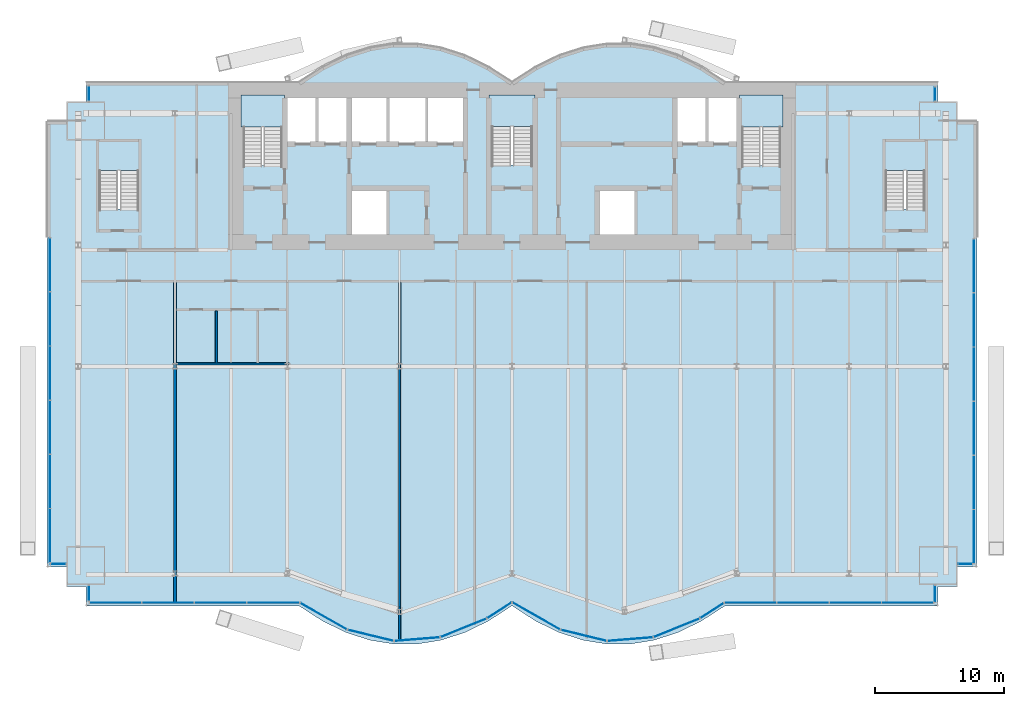
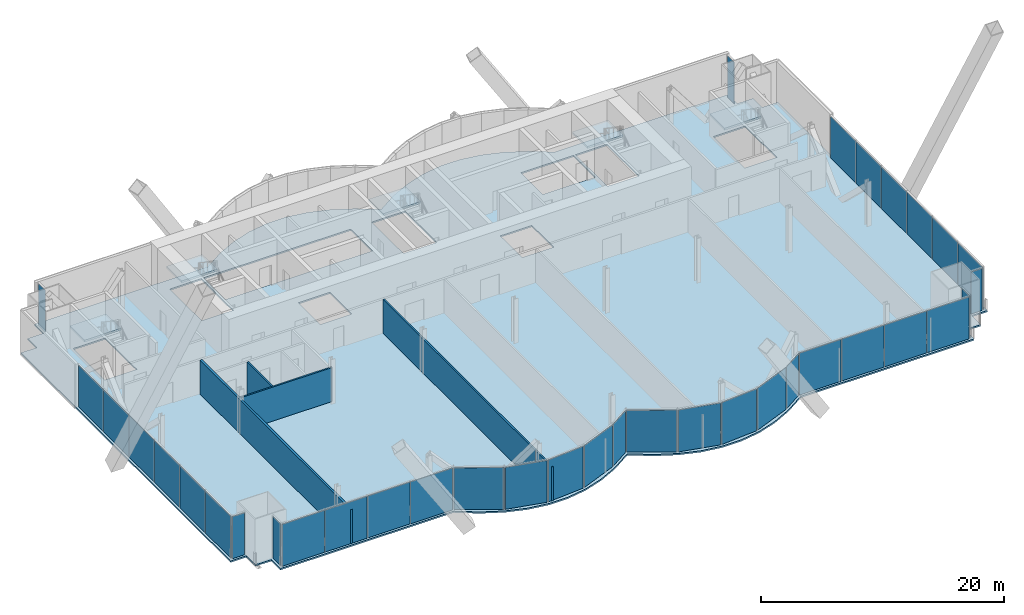
# One storey, part 16 of 23: 36 plates, 6 slabs, 5 walls, 17 elements without a shape of their own.
"""IFC4 building model written with IfcOpenShell, lengths in metres."""

from ifc_helpers import new_model, si_unit, direction, frame, frame_2d, origin, origin_2d, place, context, subcontext, project, spatial, polyline, rectangle, outline, extrude, material, layer, layer_set, type_object, element, aggregate, save


model = new_model("IFC4")

# Units and contexts
model_context = context("Model", 3, precision=1e-05, world=origin(), true_north=direction((0.0, 1.0)))
body_context = subcontext(model_context, "Body", "Model", "MODEL_VIEW")
ifc_project = project(units=[si_unit("LENGTHUNIT", "METRE"), si_unit("AREAUNIT", "SQUARE_METRE"), si_unit("VOLUMEUNIT", "CUBIC_METRE"), si_unit("PLANEANGLEUNIT", "RADIAN"), si_unit("MASSUNIT", "GRAM", prefix="KILO")], contexts=[model_context])

# Site, building, storey
site_placement = place(None, origin())
site = spatial("IfcSite", under=ifc_project, at=site_placement, CompositionType="ELEMENT")
building_placement = place(site_placement, origin())
building = spatial("IfcBuilding", under=site, at=building_placement, Name="Bicima Exchange Tower", CompositionType="ELEMENT")
storey_placement = place(building_placement, frame((0.0, 0.0, 62.0)))
storey = spatial("IfcBuildingStorey", under=building, at=storey_placement, Name="L12", CompositionType="ELEMENT", Elevation=62.0)

# Slab
ifc_material_1 = material(Name="Concrete C40/50", Category="concrete")
ifc_layer_1 = layer(ifc_material_1, 0.14990234375)
ifc_layer_set_1 = layer_set([ifc_layer_1], Name="Concrete C40/50")
slab_type_1 = type_object("IfcSlabType", Name="Composite floor slab 150", PredefinedType="FLOOR", material=ifc_layer_set_1)
slab_1_placement = place(storey_placement, frame((0.0, 0.0, -0.14990234375)))
element("IfcSlab", 1, at=slab_1_placement, inside=storey, type_object=slab_type_1, Name="Floor slab", PredefinedType="FLOOR", context=body_context, shape_type="SweptSolid", body=[
    extrude(outline(polyline([(-36.0, -37.535888671875), (-36.0, -3.0), (-34.5, -3.0), (-34.5, -1.5), (-33.0, -1.5), (-33.0, 0.0), (-16.5, 0.0), (-14.666748046875, 1.185302734375), (-12.833251953125, 2.07421875), (-11.0, 2.666748046875), (-9.166748046875, 2.962890625), (-7.333251953125, 2.962890625), (-5.5, 2.666748046875), (-3.666748046875, 2.07421875), (-1.833251953125, 1.185302734375), (0.0, 0.0), (1.833251953125, 1.185302734375), (3.666748046875, 2.07421875), (5.5, 2.666748046875), (7.333251953125, 2.962890625), (9.166748046875, 2.962890625), (11.0, 2.666748046875), (12.833251953125, 2.07421875), (14.666748046875, 1.185302734375), (16.5, 0.0), (33.0, 0.0), (33.0, -1.5), (34.5, -1.5), (34.5, -3.0), (36.0, -3.0), (36.0, -37.535888671875), (34.5, -37.535888671875), (34.5, -39.035888671875), (33.0, -39.035888671875), (33.0, -40.535888671875), (16.5, -40.535888671875), (14.666748046875, -41.72119140625), (12.833251953125, -42.610107421875), (11.0, -43.20263671875), (9.166748046875, -43.4990234375), (7.333251953125, -43.4990234375), (5.5, -43.20263671875), (3.666748046875, -42.610107421875), (1.833251953125, -41.72119140625), (0.0, -40.535888671875), (-1.833251953125, -41.72119140625), (-3.666748046875, -42.610107421875), (-5.5, -43.20263671875), (-7.333251953125, -43.4990234375), (-9.166748046875, -43.4990234375), (-11.0, -43.20263671875), (-12.833251953125, -42.610107421875), (-14.666748046875, -41.72119140625), (-16.5, -40.535888671875), (-33.0, -40.535888671875), (-33.0, -39.035888671875), (-34.5, -39.035888671875), (-34.5, -37.535888671875), (-36.0, -37.535888671875)]), holes=[polyline([(-9.60009765625, -11.800048828125), (-9.60009765625, -8.199951171875), (-12.60009765625, -8.199951171875), (-12.60009765625, -11.800048828125), (-9.60009765625, -11.800048828125)]), polyline([(-31.97509765625, -9.824951171875), (-28.925048828125, -9.824951171875), (-28.925048828125, -4.625), (-31.97509765625, -4.625), (-31.97509765625, -9.824951171875)]), polyline([(-20.800048828125, -6.449951171875), (-17.800048828125, -6.449951171875), (-17.800048828125, -1.199951171875), (-20.800048828125, -1.199951171875), (-20.800048828125, -6.449951171875)]), polyline([(-9.60009765625, -1.199951171875), (-12.60009765625, -1.199951171875), (-15.10009765625, -1.199951171875), (-17.60009765625, -1.199951171875), (-17.60009765625, -4.800048828125), (-15.10009765625, -4.800048828125), (-12.60009765625, -4.800048828125), (-9.60009765625, -4.800048828125), (-6.60009765625, -4.800048828125), (-3.60009765625, -4.800048828125), (-3.60009765625, -1.199951171875), (-6.60009765625, -1.199951171875), (-9.60009765625, -1.199951171875)]), polyline([(9.60009765625, -11.800048828125), (9.60009765625, -8.199951171875), (6.60009765625, -8.199951171875), (6.60009765625, -11.800048828125), (9.60009765625, -11.800048828125)]), polyline([(28.925048828125, -9.824951171875), (31.97509765625, -9.824951171875), (31.97509765625, -4.625), (28.925048828125, -4.625), (28.925048828125, -9.824951171875)]), polyline([(17.800048828125, -6.449951171875), (20.800048828125, -6.449951171875), (20.800048828125, -1.199951171875), (17.800048828125, -1.199951171875), (17.800048828125, -6.449951171875)]), polyline([(-1.574951171875, -6.39990234375), (1.574951171875, -6.39990234375), (1.574951171875, -1.199951171875), (-1.574951171875, -1.199951171875), (-1.574951171875, -6.39990234375)]), polyline([(17.60009765625, -4.800048828125), (17.60009765625, -1.199951171875), (15.10009765625, -1.199951171875), (12.60009765625, -1.199951171875), (12.60009765625, -4.800048828125), (15.10009765625, -4.800048828125), (17.60009765625, -4.800048828125)])]), origin(), (0.0, 0.0, 1.0), 0.14990234375),
])

# Curtain wall, plates
ifc_material_2 = material(Name="Anodised bronze aluminium", Category="aluminium")
curtain_wall_type_1 = type_object("IfcCurtainWallType", Name="End face glass wall", PredefinedType="NOTDEFINED", material=ifc_material_2)
curtain_wall_1_placement = place(storey_placement, origin())
curtain_wall_1 = element("IfcCurtainWall", 2, at=curtain_wall_1_placement, inside=storey, type_object=curtain_wall_type_1, Name="End face glass wall L12 run 2", PredefinedType="NOTDEFINED")
ifc_material_3 = material(Name="Bronze tinted glass", Category="glass")
ifc_layer_2 = layer(ifc_material_3, 0.031982421875)
ifc_layer_set_2 = layer_set([ifc_layer_2], Name="Bronze tinted glass")
plate_type_1 = type_object("IfcPlateType", Name="End face glass wall glass panel 32", PredefinedType="CURTAIN_PANEL", material=ifc_layer_set_2)
plate_1_placement = place(storey_placement, frame((-35.77001953125, -14.127197265625, 0.0), z_axis=(0.0, 0.0, 1.0), x_axis=(0.0, -1.0, 0.0)))
plate_1 = element("IfcPlate", 3, at=plate_1_placement, type_object=plate_type_1, Name="End face glass wall panel 1.1", PredefinedType="CURTAIN_PANEL", context=body_context, shape_type="SweptSolid", body=[
    extrude(rectangle(XDim=4.13427734375, YDim=0.031982421875, at=origin_2d()), origin(), (0.0, 0.0, 1.0), 4.2099609375),
])
plate_2_placement = place(storey_placement, frame((-35.77001953125, -26.710205078125, 0.0), z_axis=(0.0, 0.0, 1.0), x_axis=(0.0, -1.0, 0.0)))
plate_2 = element("IfcPlate", 4, at=plate_2_placement, type_object=plate_type_1, Name="End face glass wall panel 4.1", PredefinedType="CURTAIN_PANEL", context=body_context, shape_type="SweptSolid", body=[
    extrude(rectangle(XDim=4.13427734375, YDim=0.031982421875, at=origin_2d()), origin(), (0.0, 0.0, 1.0), 4.2099609375),
])
plate_3_placement = place(storey_placement, frame((-35.77001953125, -30.904541015625, 0.0), z_axis=(0.0, 0.0, 1.0), x_axis=(0.0, -1.0, 0.0)))
plate_3 = element("IfcPlate", 5, at=plate_3_placement, type_object=plate_type_1, Name="End face glass wall panel 5.1", PredefinedType="CURTAIN_PANEL", context=body_context, shape_type="SweptSolid", body=[
    extrude(rectangle(XDim=4.13427734375, YDim=0.031982421875, at=origin_2d()), origin(), (0.0, 0.0, 1.0), 4.2099609375),
])
plate_4_placement = place(storey_placement, frame((-35.77001953125, -35.098876953125, 0.0), z_axis=(0.0, 0.0, 1.0), x_axis=(0.0, -1.0, 0.0)))
plate_4 = element("IfcPlate", 6, at=plate_4_placement, type_object=plate_type_1, Name="End face glass wall panel 6.1", PredefinedType="CURTAIN_PANEL", context=body_context, shape_type="SweptSolid", body=[
    extrude(rectangle(XDim=4.13427734375, YDim=0.031982421875, at=origin_2d()), origin(), (0.0, 0.0, 1.0), 4.2099609375),
])

curtain_wall_2_placement = place(storey_placement, origin())
curtain_wall_2 = element("IfcCurtainWall", 7, at=curtain_wall_2_placement, inside=storey, type_object=curtain_wall_type_1, Name="End face glass wall L12 run 19", PredefinedType="NOTDEFINED")
plate_5_placement = place(storey_placement, frame((35.77001953125, -35.1787109375, 0.0), z_axis=(0.0, 0.0, 1.0), x_axis=(0.0, 1.0, 0.0)))
plate_5 = element("IfcPlate", 8, at=plate_5_placement, type_object=plate_type_1, Name="End face glass wall panel 1.1", PredefinedType="CURTAIN_PANEL", context=body_context, shape_type="SweptSolid", body=[
    extrude(rectangle(XDim=4.13427734375, YDim=0.031982421875, at=origin_2d()), origin(), (0.0, 0.0, 1.0), 4.2099609375),
])
plate_6_placement = place(storey_placement, frame((35.77001953125, -30.984619140625, 0.0), z_axis=(0.0, 0.0, 1.0), x_axis=(0.0, 1.0, 0.0)))
plate_6 = element("IfcPlate", 9, at=plate_6_placement, type_object=plate_type_1, Name="End face glass wall panel 2.1", PredefinedType="CURTAIN_PANEL", context=body_context, shape_type="SweptSolid", body=[
    extrude(rectangle(XDim=4.13427734375, YDim=0.031982421875, at=origin_2d()), origin(), (0.0, 0.0, 1.0), 4.2099609375),
])
plate_7_placement = place(storey_placement, frame((35.77001953125, -26.790283203125, 0.0), z_axis=(0.0, 0.0, 1.0), x_axis=(0.0, 1.0, 0.0)))
plate_7 = element("IfcPlate", 10, at=plate_7_placement, type_object=plate_type_1, Name="End face glass wall panel 3.1", PredefinedType="CURTAIN_PANEL", context=body_context, shape_type="SweptSolid", body=[
    extrude(rectangle(XDim=4.13427734375, YDim=0.031982421875, at=origin_2d()), origin(), (0.0, 0.0, 1.0), 4.2099609375),
])
plate_8_placement = place(storey_placement, frame((35.77001953125, -14.207275390625, 0.0), z_axis=(0.0, 0.0, 1.0), x_axis=(0.0, 1.0, 0.0)))
plate_8 = element("IfcPlate", 11, at=plate_8_placement, type_object=plate_type_1, Name="End face glass wall panel 6.1", PredefinedType="CURTAIN_PANEL", context=body_context, shape_type="SweptSolid", body=[
    extrude(rectangle(XDim=4.13427734375, YDim=0.031982421875, at=origin_2d()), origin(), (0.0, 0.0, 1.0), 4.2099609375),
])

# Plate
ifc_material_4 = material(Name="Bronze anodised aluminium", Category="aluminium")
ifc_layer_3 = layer(ifc_material_4, 0.031982421875)
ifc_layer_set_3 = layer_set([ifc_layer_3], Name="Bronze anodised aluminium")
plate_type_2 = type_object("IfcPlateType", Name="End face glass wall spandrel panel 32", PredefinedType="CURTAIN_PANEL", material=ifc_layer_set_3)
plate_9_placement = place(storey_placement, frame((-35.77001953125, -18.321533203125, 0.0), z_axis=(0.0, 0.0, 1.0), x_axis=(0.0, -1.0, 0.0)))
plate_9 = element("IfcPlate", 12, at=plate_9_placement, type_object=plate_type_2, Name="End face spandrel wall panel 2.1", PredefinedType="CURTAIN_PANEL", context=body_context, shape_type="SweptSolid", body=[
    extrude(rectangle(XDim=4.13427734375, YDim=0.031982421875, at=origin_2d()), origin(), (0.0, 0.0, 1.0), 4.2099609375),
])

plate_10_placement = place(storey_placement, frame((-35.77001953125, -22.515869140625, 0.0), z_axis=(0.0, 0.0, 1.0), x_axis=(0.0, -1.0, 0.0)))
plate_10 = element("IfcPlate", 13, at=plate_10_placement, type_object=plate_type_2, Name="End face spandrel wall panel 3.1", PredefinedType="CURTAIN_PANEL", context=body_context, shape_type="SweptSolid", body=[
    extrude(rectangle(XDim=4.13427734375, YDim=0.031982421875, at=origin_2d()), origin(), (0.0, 0.0, 1.0), 4.2099609375),
])

aggregate(curtain_wall_1, [plate_1, plate_9, plate_10, plate_2, plate_3, plate_4])

plate_11_placement = place(storey_placement, frame((35.77001953125, -22.595703125, 0.0), z_axis=(0.0, 0.0, 1.0), x_axis=(0.0, 1.0, 0.0)))
plate_11 = element("IfcPlate", 14, at=plate_11_placement, type_object=plate_type_2, Name="End face spandrel wall panel 4.1", PredefinedType="CURTAIN_PANEL", context=body_context, shape_type="SweptSolid", body=[
    extrude(rectangle(XDim=4.13427734375, YDim=0.031982421875, at=origin_2d()), origin(), (0.0, 0.0, 1.0), 4.2099609375),
])

plate_12_placement = place(storey_placement, frame((35.77001953125, -18.401611328125, 0.0), z_axis=(0.0, 0.0, 1.0), x_axis=(0.0, 1.0, 0.0)))
plate_12 = element("IfcPlate", 15, at=plate_12_placement, type_object=plate_type_2, Name="End face spandrel wall panel 5.1", PredefinedType="CURTAIN_PANEL", context=body_context, shape_type="SweptSolid", body=[
    extrude(rectangle(XDim=4.13427734375, YDim=0.031982421875, at=origin_2d()), origin(), (0.0, 0.0, 1.0), 4.2099609375),
])

aggregate(curtain_wall_2, [plate_5, plate_6, plate_7, plate_11, plate_12, plate_8])

# Curtain wall, plate
curtain_wall_type_2 = type_object("IfcCurtainWallType", Name="Front glass wall", PredefinedType="NOTDEFINED", material=ifc_material_2)
curtain_wall_3_placement = place(storey_placement, origin())
curtain_wall_3 = element("IfcCurtainWall", 16, at=curtain_wall_3_placement, inside=storey, type_object=curtain_wall_type_2, Name="Front glass wall L12 run 1", PredefinedType="NOTDEFINED")
ifc_layer_4 = layer(ifc_material_3, 0.031982421875)
ifc_layer_set_4 = layer_set([ifc_layer_4], Name="Bronze tinted glass")
plate_type_3 = type_object("IfcPlateType", Name="Front glass wall glass panel 32", PredefinedType="CURTAIN_PANEL", material=ifc_layer_set_4)
plate_13_placement = place(storey_placement, frame((-32.77001953125, -0.864990234375, 0.0), z_axis=(0.0, 0.0, 1.0), x_axis=(0.0, -1.0, 0.0)))
plate_13 = element("IfcPlate", 17, at=plate_13_placement, type_object=plate_type_3, Name="Front glass wall panel 1.1", PredefinedType="CURTAIN_PANEL", context=body_context, shape_type="SweptSolid", body=[
    extrude(rectangle(XDim=1.14990234375, YDim=0.031982421875, at=origin_2d()), origin(), (0.0, 0.0, 1.0), 4.2099609375),
])
aggregate(curtain_wall_3, [plate_13])

curtain_wall_4_placement = place(storey_placement, origin())
curtain_wall_4 = element("IfcCurtainWall", 18, at=curtain_wall_4_placement, inside=storey, type_object=curtain_wall_type_2, Name="Front glass wall L12 run 3", PredefinedType="NOTDEFINED")
plate_14_placement = place(storey_placement, frame((-35.135009765625, -37.305908203125, 0.0), z_axis=(0.0, 0.0, 1.0), x_axis=(1.0, 0.0, 0.0)))
plate_14 = element("IfcPlate", 19, at=plate_14_placement, type_object=plate_type_3, Name="Front glass wall panel 1.1", PredefinedType="CURTAIN_PANEL", context=body_context, shape_type="SweptSolid", body=[
    extrude(rectangle(XDim=1.14990234375, YDim=0.031982421875, at=origin_2d()), origin(), (0.0, 0.0, 1.0), 4.2099609375),
])
aggregate(curtain_wall_4, [plate_14])

curtain_wall_5_placement = place(storey_placement, origin())
curtain_wall_5 = element("IfcCurtainWall", 20, at=curtain_wall_5_placement, inside=storey, type_object=curtain_wall_type_2, Name="Front glass wall L12 run 4", PredefinedType="NOTDEFINED")
plate_15_placement = place(storey_placement, frame((-32.77001953125, -39.570068359375, 0.0), z_axis=(0.0, 0.0, 1.0), x_axis=(0.0, -1.0, 0.0)))
plate_15 = element("IfcPlate", 21, at=plate_15_placement, type_object=plate_type_3, Name="Front glass wall panel 1.1", PredefinedType="CURTAIN_PANEL", context=body_context, shape_type="SweptSolid", body=[
    extrude(rectangle(XDim=1.19189453125, YDim=0.031982421875, at=origin_2d()), origin(), (0.0, 0.0, 1.0), 4.2099609375),
])
aggregate(curtain_wall_5, [plate_15])

# Curtain wall, plates
curtain_wall_6_placement = place(storey_placement, origin())
curtain_wall_6 = element("IfcCurtainWall", 22, at=curtain_wall_6_placement, inside=storey, type_object=curtain_wall_type_2, Name="Front glass wall L12 run 5", PredefinedType="NOTDEFINED")
plate_16_placement = place(storey_placement, frame((-30.705322265625, -40.305908203125, 0.0), z_axis=(0.0, 0.0, 1.0), x_axis=(1.0, 0.0, 0.0)))
plate_16 = element("IfcPlate", 23, at=plate_16_placement, type_object=plate_type_3, Name="Front glass wall panel 1.1", PredefinedType="CURTAIN_PANEL", context=body_context, shape_type="SweptSolid", body=[
    extrude(rectangle(XDim=4.009521484375, YDim=0.031982421875, at=origin_2d()), origin(), (0.0, 0.0, 1.0), 4.2099609375),
])
plate_17_placement = place(storey_placement, frame((-26.6357421875, -40.305908203125, 0.0), z_axis=(0.0, 0.0, 1.0), x_axis=(1.0, 0.0, 0.0)))
plate_17 = element("IfcPlate", 24, at=plate_17_placement, type_object=plate_type_3, Name="Front glass wall panel 2.1", PredefinedType="CURTAIN_PANEL", context=body_context, shape_type="SweptSolid", body=[
    extrude(rectangle(XDim=4.009521484375, YDim=0.031982421875, at=origin_2d()), origin(), (0.0, 0.0, 1.0), 4.2099609375),
])
plate_18_placement = place(storey_placement, frame((-22.56640625, -40.305908203125, 0.0), z_axis=(0.0, 0.0, 1.0), x_axis=(1.0, 0.0, 0.0)))
plate_18 = element("IfcPlate", 25, at=plate_18_placement, type_object=plate_type_3, Name="Front glass wall panel 3.1", PredefinedType="CURTAIN_PANEL", context=body_context, shape_type="SweptSolid", body=[
    extrude(rectangle(XDim=4.009521484375, YDim=0.031982421875, at=origin_2d()), origin(), (0.0, 0.0, 1.0), 4.2099609375),
])
plate_19_placement = place(storey_placement, frame((-18.496826171875, -40.305908203125, 0.0), z_axis=(0.0, 0.0, 1.0), x_axis=(1.0, 0.0, 0.0)))
plate_19 = element("IfcPlate", 26, at=plate_19_placement, type_object=plate_type_3, Name="Front glass wall panel 4.1", PredefinedType="CURTAIN_PANEL", context=body_context, shape_type="SweptSolid", body=[
    extrude(rectangle(XDim=4.009521484375, YDim=0.031982421875, at=origin_2d()), origin(), (0.0, 0.0, 1.0), 4.2099609375),
])
aggregate(curtain_wall_6, [plate_16, plate_17, plate_18, plate_19])

curtain_wall_7_placement = place(storey_placement, origin())
curtain_wall_7 = element("IfcCurtainWall", 27, at=curtain_wall_7_placement, inside=storey, type_object=curtain_wall_type_2, Name="Front glass wall L12 run 6", PredefinedType="NOTDEFINED")
plate_20_placement = place(storey_placement, frame((-10.94775390625, -42.83251953125, 0.0), z_axis=(0.0, 0.0, 1.0), x_axis=(0.971830343553, -0.235681529503, 0.0)))
plate_20 = element("IfcPlate", 28, at=plate_20_placement, type_object=plate_type_3, Name="Front glass wall panel 1.1", PredefinedType="CURTAIN_PANEL", context=body_context, shape_type="SweptSolid", body=[
    extrude(rectangle(XDim=3.583251953125, YDim=0.031982421875, at=origin_2d()), origin(), (0.0, 0.0, 1.0), 4.2099609375),
])
plate_21_placement = place(storey_placement, frame((-7.35107421875, -43.123779296875, 0.0), z_axis=(0.0, 0.0, 1.0), x_axis=(0.99674744821, 0.080588612633, 0.0)))
plate_21 = element("IfcPlate", 29, at=plate_21_placement, type_object=plate_type_3, Name="Front glass wall panel 1.1", PredefinedType="CURTAIN_PANEL", context=body_context, shape_type="SweptSolid", body=[
    extrude(rectangle(XDim=3.486083984375, YDim=0.031982421875, at=origin_2d()), origin(), (0.0, 0.0, 1.0), 4.2099609375),
])
plate_22_placement = place(storey_placement, frame((-3.750244140625, -42.24951171875, 0.0), z_axis=(0.0, 0.0, 1.0), x_axis=(0.92714396679, 0.374705304, 0.0)))
plate_22 = element("IfcPlate", 30, at=plate_22_placement, type_object=plate_type_3, Name="Front glass wall panel 1.1", PredefinedType="CURTAIN_PANEL", context=body_context, shape_type="SweptSolid", body=[
    extrude(rectangle(XDim=3.771240234375, YDim=0.031982421875, at=origin_2d()), origin(), (0.0, 0.0, 1.0), 4.2099609375),
])
plate_23_placement = place(storey_placement, frame((-0.97314453125, -40.89111328125, 0.0), z_axis=(0.0, 0.0, 1.0), x_axis=(0.839798994301, 0.542897457326, 0.0)))
plate_23 = element("IfcPlate", 31, at=plate_23_placement, type_object=plate_type_3, Name="Front glass wall panel 1.1", PredefinedType="CURTAIN_PANEL", context=body_context, shape_type="SweptSolid", body=[
    extrude(rectangle(XDim=2.197509765625, YDim=0.031982421875, at=origin_2d()), origin(), (0.0, 0.0, 1.0), 4.2099609375),
])

curtain_wall_8_placement = place(storey_placement, origin())
curtain_wall_8 = element("IfcCurtainWall", 32, at=curtain_wall_8_placement, inside=storey, type_object=curtain_wall_type_2, Name="Front glass wall L12 run 11", PredefinedType="NOTDEFINED")
plate_24_placement = place(storey_placement, frame((1.876220703125, -41.3291015625, 0.0), z_axis=(0.0, 0.0, 1.0), x_axis=(0.869274147378, -0.494330311331, 0.0)))
plate_24 = element("IfcPlate", 33, at=plate_24_placement, type_object=plate_type_3, Name="Front glass wall panel 1.1", PredefinedType="CURTAIN_PANEL", context=body_context, shape_type="SweptSolid", body=[
    extrude(rectangle(XDim=4.197021484375, YDim=0.031982421875, at=origin_2d()), origin(), (0.0, 0.0, 1.0), 4.2099609375),
])
plate_25_placement = place(storey_placement, frame((5.55224609375, -42.83251953125, 0.0), z_axis=(0.0, 0.0, 1.0), x_axis=(0.971830343553, -0.235681529503, 0.0)))
plate_25 = element("IfcPlate", 34, at=plate_25_placement, type_object=plate_type_3, Name="Front glass wall panel 1.1", PredefinedType="CURTAIN_PANEL", context=body_context, shape_type="SweptSolid", body=[
    extrude(rectangle(XDim=3.583251953125, YDim=0.031982421875, at=origin_2d()), origin(), (0.0, 0.0, 1.0), 4.2099609375),
])
plate_26_placement = place(storey_placement, frame((9.14892578125, -43.123779296875, 0.0), z_axis=(0.0, 0.0, 1.0), x_axis=(0.99674744821, 0.080588612633, 0.0)))
plate_26 = element("IfcPlate", 35, at=plate_26_placement, type_object=plate_type_3, Name="Front glass wall panel 1.1", PredefinedType="CURTAIN_PANEL", context=body_context, shape_type="SweptSolid", body=[
    extrude(rectangle(XDim=3.486083984375, YDim=0.031982421875, at=origin_2d()), origin(), (0.0, 0.0, 1.0), 4.2099609375),
])
plate_27_placement = place(storey_placement, frame((15.492919921875, -40.9130859375, 0.0), z_axis=(0.0, 0.0, 1.0), x_axis=(0.839791413941, 0.542909183079, 0.0)))
plate_27 = element("IfcPlate", 36, at=plate_27_placement, type_object=plate_type_3, Name="Front glass wall panel 1.1", PredefinedType="CURTAIN_PANEL", context=body_context, shape_type="SweptSolid", body=[
    extrude(rectangle(XDim=2.11669921875, YDim=0.031982421875, at=origin_2d()), origin(), (0.0, 0.0, 1.0), 4.2099609375),
])

curtain_wall_9_placement = place(storey_placement, origin())
curtain_wall_9 = element("IfcCurtainWall", 37, at=curtain_wall_9_placement, inside=storey, type_object=curtain_wall_type_2, Name="Front glass wall L12 run 16", PredefinedType="NOTDEFINED")
plate_28_placement = place(storey_placement, frame((18.48681640625, -40.305908203125, 0.0), z_axis=(0.0, 0.0, 1.0), x_axis=(1.0, 0.0, 0.0)))
plate_28 = element("IfcPlate", 38, at=plate_28_placement, type_object=plate_type_3, Name="Front glass wall panel 1.1", PredefinedType="CURTAIN_PANEL", context=body_context, shape_type="SweptSolid", body=[
    extrude(rectangle(XDim=3.989501953125, YDim=0.031982421875, at=origin_2d()), origin(), (0.0, 0.0, 1.0), 4.2099609375),
])
plate_29_placement = place(storey_placement, frame((22.536376953125, -40.305908203125, 0.0), z_axis=(0.0, 0.0, 1.0), x_axis=(1.0, 0.0, 0.0)))
plate_29 = element("IfcPlate", 39, at=plate_29_placement, type_object=plate_type_3, Name="Front glass wall panel 2.1", PredefinedType="CURTAIN_PANEL", context=body_context, shape_type="SweptSolid", body=[
    extrude(rectangle(XDim=3.989501953125, YDim=0.031982421875, at=origin_2d()), origin(), (0.0, 0.0, 1.0), 4.2099609375),
])
plate_30_placement = place(storey_placement, frame((26.585693359375, -40.305908203125, 0.0), z_axis=(0.0, 0.0, 1.0), x_axis=(1.0, 0.0, 0.0)))
plate_30 = element("IfcPlate", 40, at=plate_30_placement, type_object=plate_type_3, Name="Front glass wall panel 3.1", PredefinedType="CURTAIN_PANEL", context=body_context, shape_type="SweptSolid", body=[
    extrude(rectangle(XDim=3.989501953125, YDim=0.031982421875, at=origin_2d()), origin(), (0.0, 0.0, 1.0), 4.2099609375),
])
plate_31_placement = place(storey_placement, frame((30.63525390625, -40.305908203125, 0.0), z_axis=(0.0, 0.0, 1.0), x_axis=(1.0, 0.0, 0.0)))
plate_31 = element("IfcPlate", 41, at=plate_31_placement, type_object=plate_type_3, Name="Front glass wall panel 4.1", PredefinedType="CURTAIN_PANEL", context=body_context, shape_type="SweptSolid", body=[
    extrude(rectangle(XDim=3.989501953125, YDim=0.031982421875, at=origin_2d()), origin(), (0.0, 0.0, 1.0), 4.2099609375),
])
aggregate(curtain_wall_9, [plate_28, plate_29, plate_30, plate_31])

# Curtain wall, plate
curtain_wall_10_placement = place(storey_placement, origin())
curtain_wall_10 = element("IfcCurtainWall", 42, at=curtain_wall_10_placement, inside=storey, type_object=curtain_wall_type_2, Name="Front glass wall L12 run 17", PredefinedType="NOTDEFINED")
plate_32_placement = place(storey_placement, frame((32.77001953125, -39.610107421875, 0.0), z_axis=(0.0, 0.0, 1.0), x_axis=(0.0, 1.0, 0.0)))
plate_32 = element("IfcPlate", 43, at=plate_32_placement, type_object=plate_type_3, Name="Front glass wall panel 1.1", PredefinedType="CURTAIN_PANEL", context=body_context, shape_type="SweptSolid", body=[
    extrude(rectangle(XDim=1.27197265625, YDim=0.031982421875, at=origin_2d()), origin(), (0.0, 0.0, 1.0), 4.2099609375),
])
aggregate(curtain_wall_10, [plate_32])

curtain_wall_11_placement = place(storey_placement, origin())
curtain_wall_11 = element("IfcCurtainWall", 44, at=curtain_wall_11_placement, inside=storey, type_object=curtain_wall_type_2, Name="Front glass wall L12 run 18", PredefinedType="NOTDEFINED")
plate_33_placement = place(storey_placement, frame((35.094970703125, -37.305908203125, 0.0), z_axis=(0.0, 0.0, 1.0), x_axis=(1.0, 0.0, 0.0)))
plate_33 = element("IfcPlate", 45, at=plate_33_placement, type_object=plate_type_3, Name="Front glass wall panel 1.1", PredefinedType="CURTAIN_PANEL", context=body_context, shape_type="SweptSolid", body=[
    extrude(rectangle(XDim=1.070068359375, YDim=0.031982421875, at=origin_2d()), origin(), (0.0, 0.0, 1.0), 4.2099609375),
])
aggregate(curtain_wall_11, [plate_33])

curtain_wall_12_placement = place(storey_placement, origin())
curtain_wall_12 = element("IfcCurtainWall", 46, at=curtain_wall_12_placement, inside=storey, type_object=curtain_wall_type_2, Name="Front glass wall L12 run 20", PredefinedType="NOTDEFINED")
plate_34_placement = place(storey_placement, frame((32.77001953125, -0.905029296875, 0.0), z_axis=(0.0, 0.0, 1.0), x_axis=(0.0, 1.0, 0.0)))
plate_34 = element("IfcPlate", 47, at=plate_34_placement, type_object=plate_type_3, Name="Front glass wall panel 1.1", PredefinedType="CURTAIN_PANEL", context=body_context, shape_type="SweptSolid", body=[
    extrude(rectangle(XDim=1.070068359375, YDim=0.031982421875, at=origin_2d()), origin(), (0.0, 0.0, 1.0), 4.2099609375),
])
aggregate(curtain_wall_12, [plate_34])

# Plate
ifc_layer_5 = layer(ifc_material_4, 0.031982421875)
ifc_layer_set_5 = layer_set([ifc_layer_5], Name="Bronze anodised aluminium")
plate_type_4 = type_object("IfcPlateType", Name="Front glass wall spandrel panel 32", PredefinedType="CURTAIN_PANEL", material=ifc_layer_set_5)
plate_35_placement = place(storey_placement, frame((-14.589599609375, -41.35107421875, 0.0), z_axis=(0.0, 0.0, 1.0), x_axis=(0.869805110681, -0.493395449343, 0.0)))
plate_35 = element("IfcPlate", 48, at=plate_35_placement, type_object=plate_type_4, Name="Front spandrel wall panel 1.1", PredefinedType="CURTAIN_PANEL", context=body_context, shape_type="SweptSolid", body=[
    extrude(rectangle(XDim=4.1162109375, YDim=0.031982421875, at=origin_2d()), origin(), (0.0, 0.0, 1.0), 4.2099609375),
])

aggregate(curtain_wall_7, [plate_35, plate_20, plate_21, plate_22, plate_23])

plate_36_placement = place(storey_placement, frame((12.749755859375, -42.24951171875, 0.0), z_axis=(0.0, 0.0, 1.0), x_axis=(0.92714396679, 0.374705304, 0.0)))
plate_36 = element("IfcPlate", 49, at=plate_36_placement, type_object=plate_type_4, Name="Front spandrel wall panel 1.1", PredefinedType="CURTAIN_PANEL", context=body_context, shape_type="SweptSolid", body=[
    extrude(rectangle(XDim=3.771240234375, YDim=0.031982421875, at=origin_2d()), origin(), (0.0, 0.0, 1.0), 4.2099609375),
])

aggregate(curtain_wall_8, [plate_24, plate_25, plate_26, plate_36, plate_27])

# Stair, slab
ifc_material_5 = material(Name="Concrete C50/60", Category="concrete")
stair_type_1 = type_object("IfcStairType", Name="Exit stair", PredefinedType="HALF_TURN_STAIR", material=ifc_material_5)
stair_1_placement = place(storey_placement, origin())
stair_1 = element("IfcStair", 50, at=stair_1_placement, inside=storey, type_object=stair_type_1, Name="L12 West exit stair", PredefinedType="HALF_TURN_STAIR")
ifc_layer_6 = layer(ifc_material_5, 0.199951171875)
ifc_layer_set_6 = layer_set([ifc_layer_6], Name="Concrete C50/60")
slab_type_2 = type_object("IfcSlabType", Name="Stair landing slab", PredefinedType="LANDING", material=ifc_layer_set_6)
slab_2_placement = place(storey_placement, frame((0.0, 0.0, 2.050048828125)))
slab_2 = element("IfcSlab", 51, at=slab_2_placement, type_object=slab_type_2, Name="ST-W landing 1", PredefinedType="LANDING", context=body_context, shape_type="SweptSolid", body=[
    extrude(outline(polyline([(-17.60009765625, -3.469970703125), (-17.60009765625, -1.0), (-21.0, -1.0), (-21.0, -3.469970703125), (-17.60009765625, -3.469970703125)])), origin(), (0.0, 0.0, 1.0), 0.199951171875),
])
aggregate(stair_1, [slab_2])

stair_type_2 = type_object("IfcStairType", Name="Exit stair 1500", PredefinedType="HALF_TURN_STAIR", material=ifc_material_5)
stair_2_placement = place(storey_placement, origin())
stair_2 = element("IfcStair", 52, at=stair_2_placement, inside=storey, type_object=stair_type_2, Name="L12 Central exit stair", PredefinedType="HALF_TURN_STAIR")
slab_3_placement = place(storey_placement, frame((0.0, 0.0, 2.050048828125)))
slab_3 = element("IfcSlab", 53, at=slab_3_placement, type_object=slab_type_2, Name="ST-C landing 1", PredefinedType="LANDING", context=body_context, shape_type="SweptSolid", body=[
    extrude(outline(polyline([(1.77490234375, -3.419921875), (1.77490234375, -1.0), (-1.77490234375, -1.0), (-1.77490234375, -3.419921875), (1.77490234375, -3.419921875)])), origin(), (0.0, 0.0, 1.0), 0.199951171875),
])
aggregate(stair_2, [slab_3])

stair_3_placement = place(storey_placement, origin())
stair_3 = element("IfcStair", 54, at=stair_3_placement, inside=storey, type_object=stair_type_1, Name="L12 East exit stair", PredefinedType="HALF_TURN_STAIR")
slab_4_placement = place(storey_placement, frame((0.0, 0.0, 2.050048828125)))
slab_4 = element("IfcSlab", 55, at=slab_4_placement, type_object=slab_type_2, Name="ST-E landing 1", PredefinedType="LANDING", context=body_context, shape_type="SweptSolid", body=[
    extrude(outline(polyline([(21.0, -3.469970703125), (21.0, -1.0), (17.60009765625, -1.0), (17.60009765625, -3.469970703125), (21.0, -3.469970703125)])), origin(), (0.0, 0.0, 1.0), 0.199951171875),
])
aggregate(stair_3, [slab_4])

stair_4_placement = place(storey_placement, origin())
stair_4 = element("IfcStair", 56, at=stair_4_placement, inside=storey, type_object=stair_type_1, Name="L12 West end exit stair", PredefinedType="HALF_TURN_STAIR")
slab_5_placement = place(storey_placement, frame((0.0, 0.0, 2.050048828125)))
slab_5 = element("IfcSlab", 57, at=slab_5_placement, type_object=slab_type_2, Name="ST-WW landing 1", PredefinedType="LANDING", context=body_context, shape_type="SweptSolid", body=[
    extrude(outline(polyline([(-28.72509765625, -6.844970703125), (-28.72509765625, -4.425048828125), (-32.175048828125, -4.425048828125), (-32.175048828125, -6.844970703125), (-28.72509765625, -6.844970703125)])), origin(), (0.0, 0.0, 1.0), 0.199951171875),
])
aggregate(stair_4, [slab_5])

stair_5_placement = place(storey_placement, origin())
stair_5 = element("IfcStair", 58, at=stair_5_placement, inside=storey, type_object=stair_type_1, Name="L12 East end exit stair", PredefinedType="HALF_TURN_STAIR")
slab_6_placement = place(storey_placement, frame((0.0, 0.0, 2.050048828125)))
slab_6 = element("IfcSlab", 59, at=slab_6_placement, type_object=slab_type_2, Name="ST-EE landing 1", PredefinedType="LANDING", context=body_context, shape_type="SweptSolid", body=[
    extrude(outline(polyline([(32.175048828125, -6.844970703125), (32.175048828125, -4.425048828125), (28.72509765625, -4.425048828125), (28.72509765625, -6.844970703125), (32.175048828125, -6.844970703125)])), origin(), (0.0, 0.0, 1.0), 0.199951171875),
])
aggregate(stair_5, [slab_6])

# Walls
ifc_material_6 = material(Name="Gypsum board partition")
ifc_layer_7 = layer(ifc_material_6, 0.199951171875)
ifc_layer_set_7 = layer_set([ifc_layer_7], Name="Gypsum board partition")
wall_type_1 = type_object("IfcWallType", Name="Fire-rated gypsum partition 200 EI60", PredefinedType="PARTITIONING", material=ifc_layer_set_7)
wall_1_placement = place(storey_placement, frame((-26.10009765625, -40.330078125, 0.0), z_axis=(0.0, 0.0, 1.0), x_axis=(0.0, 1.0, 0.0)))
element("IfcWall", 60, at=wall_1_placement, inside=storey, type_object=wall_type_1, Name="partition wall 14", PredefinedType="PARTITIONING", context=body_context, shape_type="SweptSolid", body=[
    extrude(rectangle(XDim=24.830078125, YDim=0.199951171875, at=frame_2d((12.4150390625, 0.0))), origin(), (0.0, 0.0, 1.0), 3.418212890625),
])
ifc_layer_8 = layer(ifc_material_6, 0.14990234375)
ifc_layer_set_8 = layer_set([ifc_layer_8], Name="Gypsum board partition")
wall_type_2 = type_object("IfcWallType", Name="Gypsum partition 150", PredefinedType="PARTITIONING", material=ifc_layer_set_8)
wall_2_placement = place(storey_placement, frame((-26.0, -21.800048828125, 0.0), z_axis=(0.0, 0.0, 1.0), x_axis=(1.0, 0.0, 0.0)))
element("IfcWall", 61, at=wall_2_placement, inside=storey, type_object=wall_type_2, Name="partition wall 1", PredefinedType="PARTITIONING", context=body_context, shape_type="SweptSolid", body=[
    extrude(rectangle(XDim=8.699951171875, YDim=0.14990234375, at=frame_2d((4.35009765625, 0.0))), origin(), (0.0, 0.0, 1.0), 3.418212890625),
])
wall_3_placement = place(storey_placement, frame((-22.89990234375, -21.72509765625, 0.0), z_axis=(0.0, 0.0, 1.0), x_axis=(0.0, 1.0, 0.0)))
element("IfcWall", 62, at=wall_3_placement, inside=storey, type_object=wall_type_2, Name="partition wall 16", PredefinedType="PARTITIONING", context=body_context, shape_type="SweptSolid", body=[
    extrude(rectangle(XDim=4.025146484375, YDim=0.14990234375, at=frame_2d((2.0126953125, 0.0))), origin(), (0.0, 0.0, 1.0), 3.418212890625),
])
wall_4_placement = place(storey_placement, frame((-8.699951171875, -43.2900390625, 0.0), z_axis=(0.0, 0.0, 1.0), x_axis=(0.0, 1.0, 0.0)))
element("IfcWall", 63, at=wall_4_placement, inside=storey, type_object=wall_type_2, Name="partition wall 19", PredefinedType="PARTITIONING", context=body_context, shape_type="SweptSolid", body=[
    extrude(rectangle(XDim=2.644287109375, YDim=0.14990234375, at=frame_2d((1.322265625, 0.0))), origin(), (0.0, 0.0, 1.0), 3.418212890625),
])
wall_5_placement = place(storey_placement, frame((-8.699951171875, -40.645751953125, 0.0), z_axis=(0.0, 0.0, 1.0), x_axis=(0.0, 1.0, 0.0)))
element("IfcWall", 64, at=wall_5_placement, inside=storey, type_object=wall_type_2, Name="partition wall 20", PredefinedType="PARTITIONING", context=body_context, shape_type="SweptSolid", body=[
    extrude(rectangle(XDim=25.145751953125, YDim=0.14990234375, at=frame_2d((12.57275390625, 0.0))), origin(), (0.0, 0.0, 1.0), 3.418212890625),
])

save(model, "model.ifc")
